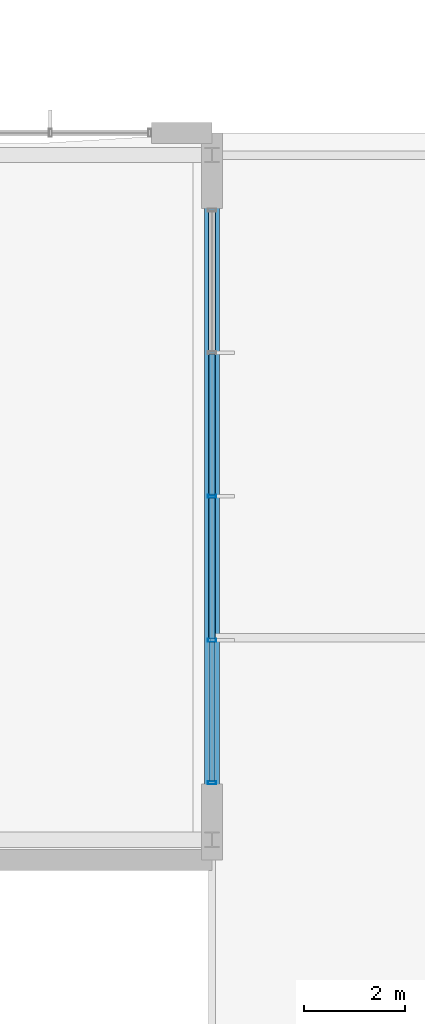
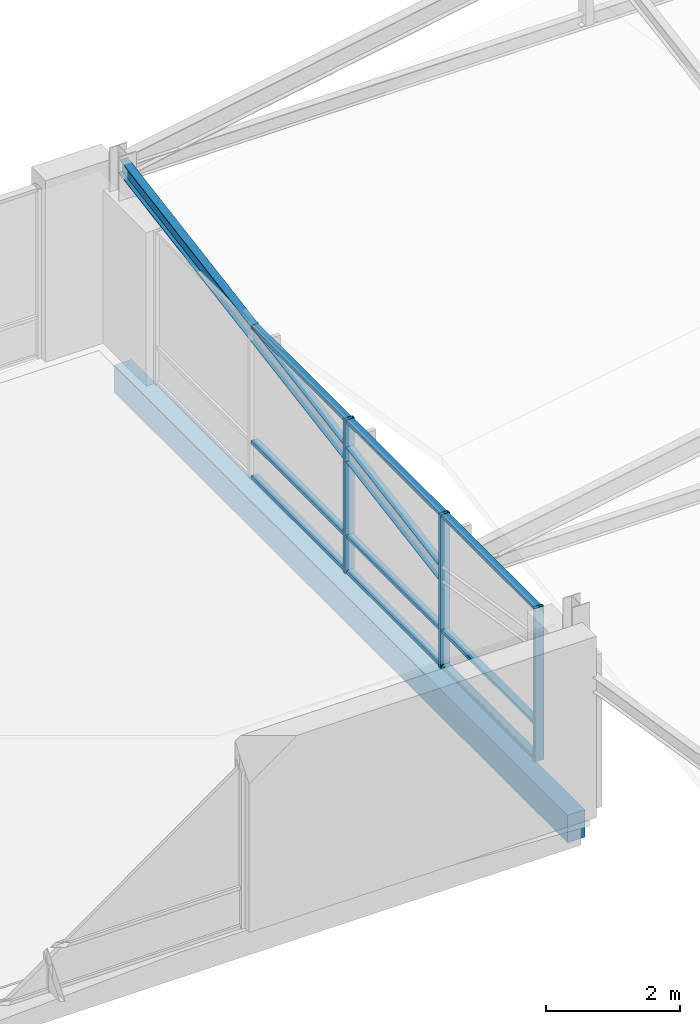
# One storey, part 93 of 189: 13 members, 1 beam, 1 element without a shape of its own.
"""IFC4 building model written with IfcOpenShell, lengths in metres."""

from ifc_helpers import new_model, si_unit, direction, frame, origin, origin_2d, place, context, subcontext, project, spatial, rectangle, hollow_rectangle, i_section, extrude, material, material_profile, profile_set, type_object, element, aggregate, save


model = new_model("IFC4")

# Units and contexts
model_context = context("Model", 3, precision=1e-05, world=origin(), true_north=direction((0.0, 1.0)))
body_context = subcontext(model_context, "Body", "Model", "MODEL_VIEW")
ifc_project = project(units=[si_unit("LENGTHUNIT", "METRE"), si_unit("AREAUNIT", "SQUARE_METRE"), si_unit("VOLUMEUNIT", "CUBIC_METRE"), si_unit("PLANEANGLEUNIT", "RADIAN"), si_unit("MASSUNIT", "GRAM", prefix="KILO")], contexts=[model_context])

# Site, building, storey
site_placement = place(None, origin())
site = spatial("IfcSite", under=ifc_project, at=site_placement, CompositionType="ELEMENT")
building_placement = place(site_placement, origin())
building = spatial("IfcBuilding", under=site, at=building_placement, Name="Zavelmont Quarter", CompositionType="ELEMENT")
storey_placement = place(building_placement, frame((0.0, 0.0, 4.39990234375)))
storey = spatial("IfcBuildingStorey", under=building, at=storey_placement, Name="L01", CompositionType="ELEMENT", Elevation=4.39990234375)

# Beam
ifc_material_1 = material(Name="Concrete C35/45", Category="concrete")
ifc_material_profile_1 = material_profile(ifc_material_1, rectangle(XDim=0.300048828125, YDim=0.5, at=origin_2d()), Name="RC300X500")
ifc_profile_set_1 = profile_set([ifc_material_profile_1], Name="Concrete C35/45")
beam_type = type_object("IfcBeamType", Name="BM03", PredefinedType="BEAM", material=ifc_profile_set_1)
beam_placement = place(storey_placement, frame((76.0, 102.0, -0.52978515625), z_axis=(0.0, 1.0, 0.0), x_axis=(-1.0, 0.0, 0.0)))
element("IfcBeam", 1, at=beam_placement, inside=storey, type_object=beam_type, Name="L01 beam BM03 12/Q to 12/S", PredefinedType="BEAM", context=body_context, shape_type="SweptSolid", body=[
    extrude(rectangle(XDim=0.300048828125, YDim=0.5, at=origin_2d()), origin(), (0.0, 0.0, 1.0), 13.56005859375),
])

# Curtain wall, members
ifc_material_2 = material(Name="Thermally broken aluminium and double low-E safety glazing", Category="aluminium")
curtain_wall_type = type_object("IfcCurtainWallType", Name="CW-1140X280", PredefinedType="NOTDEFINED", material=ifc_material_2)
curtain_wall_placement = place(storey_placement, origin())
curtain_wall = element("IfcCurtainWall", 2, at=curtain_wall_placement, inside=storey, type_object=curtain_wall_type, Name="L01 unitised curtain wall CW-1140X280", PredefinedType="NOTDEFINED")
ifc_material_3 = material(Name="Powder-coated aluminium EN AW-6063-T6", Category="aluminium")
ifc_material_profile_2 = material_profile(ifc_material_3, hollow_rectangle(XDim=0.06005859375, YDim=0.159912109375, WallThickness=0.00390625, at=origin_2d()), Name="CWM60X160")
ifc_profile_set_2 = profile_set([ifc_material_profile_2], Name="Powder-coated aluminium EN AW-6063-T6")
member_type_1 = type_object("IfcMemberType", Name="CWM01", PredefinedType="MULLION", material=ifc_profile_set_2)
member_1_placement = place(storey_placement, frame((76.0, 103.1298828125, 0.0), z_axis=(0.0, 0.0, 1.0), x_axis=(0.0, 1.0, 0.0)))
member_1 = element("IfcMember", 3, at=member_1_placement, type_object=member_type_1, Name="CW-1140X280 mullion 1", PredefinedType="MULLION", context=body_context, shape_type="SweptSolid", body=[
    extrude(hollow_rectangle(XDim=0.06005859375, YDim=0.159912109375, WallThickness=0.00390625, at=origin_2d()), origin(), (0.0, 0.0, 1.0), 2.800048828125),
])
member_2_placement = place(storey_placement, frame((76.0, 105.949951171875, 0.0), z_axis=(0.0, 0.0, 1.0), x_axis=(0.0, 1.0, 0.0)))
member_2 = element("IfcMember", 4, at=member_2_placement, type_object=member_type_1, Name="CW-1140X280 mullion 2", PredefinedType="MULLION", context=body_context, shape_type="SweptSolid", body=[
    extrude(hollow_rectangle(XDim=0.06005859375, YDim=0.159912109375, WallThickness=0.00390625, at=origin_2d()), origin(), (0.0, 0.0, 1.0), 2.800048828125),
])
member_3_placement = place(storey_placement, frame((76.0, 108.800048828125, 0.0), z_axis=(0.0, 0.0, 1.0), x_axis=(0.0, 1.0, 0.0)))
member_3 = element("IfcMember", 5, at=member_3_placement, type_object=member_type_1, Name="CW-1140X280 mullion 3", PredefinedType="MULLION", context=body_context, shape_type="SweptSolid", body=[
    extrude(hollow_rectangle(XDim=0.06005859375, YDim=0.159912109375, WallThickness=0.00390625, at=origin_2d()), origin(), (0.0, 0.0, 1.0), 2.800048828125),
])
ifc_material_profile_3 = material_profile(ifc_material_3, hollow_rectangle(XDim=0.1201171875, YDim=0.06005859375, WallThickness=0.00390625, at=origin_2d()), Name="CWT60X120")
ifc_profile_set_3 = profile_set([ifc_material_profile_3], Name="Powder-coated aluminium EN AW-6063-T6")
member_type_2 = type_object("IfcMemberType", Name="CWT01", PredefinedType="NOTDEFINED", material=ifc_profile_set_3)
member_4_placement = place(storey_placement, frame((76.0, 103.159912109375, 0.030029296875), z_axis=(0.0, 1.0, 0.0), x_axis=(-1.0, 0.0, 0.0)))
member_4 = element("IfcMember", 6, at=member_4_placement, type_object=member_type_2, Name="CW-1140X280 transom 1.1", ObjectType="TRANSOM", PredefinedType="USERDEFINED", context=body_context, shape_type="SweptSolid", body=[
    extrude(hollow_rectangle(XDim=0.1201171875, YDim=0.06005859375, WallThickness=0.00390625, at=origin_2d()), origin(), (0.0, 0.0, 1.0), 2.760009765625),
])
member_5_placement = place(storey_placement, frame((76.0, 103.159912109375, 0.672119140625), z_axis=(0.0, 1.0, 0.0), x_axis=(-1.0, 0.0, 0.0)))
member_5 = element("IfcMember", 7, at=member_5_placement, type_object=member_type_2, Name="CW-1140X280 transom 1.2", ObjectType="TRANSOM", PredefinedType="USERDEFINED", context=body_context, shape_type="SweptSolid", body=[
    extrude(hollow_rectangle(XDim=0.1201171875, YDim=0.06005859375, WallThickness=0.00390625, at=origin_2d()), origin(), (0.0, 0.0, 1.0), 2.760009765625),
])
member_6_placement = place(storey_placement, frame((76.0, 103.159912109375, 2.77001953125), z_axis=(0.0, 1.0, 0.0), x_axis=(-1.0, 0.0, 0.0)))
member_6 = element("IfcMember", 8, at=member_6_placement, type_object=member_type_2, Name="CW-1140X280 transom 1.3", ObjectType="TRANSOM", PredefinedType="USERDEFINED", context=body_context, shape_type="SweptSolid", body=[
    extrude(hollow_rectangle(XDim=0.1201171875, YDim=0.06005859375, WallThickness=0.00390625, at=origin_2d()), origin(), (0.0, 0.0, 1.0), 2.760009765625),
])
member_7_placement = place(storey_placement, frame((76.0, 105.97998046875, 0.030029296875), z_axis=(0.0, 1.0, 0.0), x_axis=(-1.0, 0.0, 0.0)))
member_7 = element("IfcMember", 9, at=member_7_placement, type_object=member_type_2, Name="CW-1140X280 transom 2.1", ObjectType="TRANSOM", PredefinedType="USERDEFINED", context=body_context, shape_type="SweptSolid", body=[
    extrude(hollow_rectangle(XDim=0.1201171875, YDim=0.06005859375, WallThickness=0.00390625, at=origin_2d()), origin(), (0.0, 0.0, 1.0), 2.7900390625),
])
member_8_placement = place(storey_placement, frame((76.0, 105.97998046875, 0.672119140625), z_axis=(0.0, 1.0, 0.0), x_axis=(-1.0, 0.0, 0.0)))
member_8 = element("IfcMember", 10, at=member_8_placement, type_object=member_type_2, Name="CW-1140X280 transom 2.2", ObjectType="TRANSOM", PredefinedType="USERDEFINED", context=body_context, shape_type="SweptSolid", body=[
    extrude(hollow_rectangle(XDim=0.1201171875, YDim=0.06005859375, WallThickness=0.00390625, at=origin_2d()), origin(), (0.0, 0.0, 1.0), 2.7900390625),
])
member_9_placement = place(storey_placement, frame((76.0, 105.97998046875, 2.77001953125), z_axis=(0.0, 1.0, 0.0), x_axis=(-1.0, 0.0, 0.0)))
member_9 = element("IfcMember", 11, at=member_9_placement, type_object=member_type_2, Name="CW-1140X280 transom 2.3", ObjectType="TRANSOM", PredefinedType="USERDEFINED", context=body_context, shape_type="SweptSolid", body=[
    extrude(hollow_rectangle(XDim=0.1201171875, YDim=0.06005859375, WallThickness=0.00390625, at=origin_2d()), origin(), (0.0, 0.0, 1.0), 2.7900390625),
])
member_10_placement = place(storey_placement, frame((76.0, 108.830078125, 0.030029296875), z_axis=(0.0, 1.0, 0.0), x_axis=(-1.0, 0.0, 0.0)))
member_10 = element("IfcMember", 12, at=member_10_placement, type_object=member_type_2, Name="CW-1140X280 transom 3.1", ObjectType="TRANSOM", PredefinedType="USERDEFINED", context=body_context, shape_type="SweptSolid", body=[
    extrude(hollow_rectangle(XDim=0.1201171875, YDim=0.06005859375, WallThickness=0.00390625, at=origin_2d()), origin(), (0.0, 0.0, 1.0), 2.7900390625),
])
member_11_placement = place(storey_placement, frame((76.0, 108.830078125, 0.672119140625), z_axis=(0.0, 1.0, 0.0), x_axis=(-1.0, 0.0, 0.0)))
member_11 = element("IfcMember", 13, at=member_11_placement, type_object=member_type_2, Name="CW-1140X280 transom 3.2", ObjectType="TRANSOM", PredefinedType="USERDEFINED", context=body_context, shape_type="SweptSolid", body=[
    extrude(hollow_rectangle(XDim=0.1201171875, YDim=0.06005859375, WallThickness=0.00390625, at=origin_2d()), origin(), (0.0, 0.0, 1.0), 2.7900390625),
])
member_12_placement = place(storey_placement, frame((76.0, 108.830078125, 2.77001953125), z_axis=(0.0, 1.0, 0.0), x_axis=(-1.0, 0.0, 0.0)))
member_12 = element("IfcMember", 14, at=member_12_placement, type_object=member_type_2, Name="CW-1140X280 transom 3.3", ObjectType="TRANSOM", PredefinedType="USERDEFINED", context=body_context, shape_type="SweptSolid", body=[
    extrude(hollow_rectangle(XDim=0.1201171875, YDim=0.06005859375, WallThickness=0.00390625, at=origin_2d()), origin(), (0.0, 0.0, 1.0), 2.7900390625),
])
aggregate(curtain_wall, [member_1, member_2, member_3, member_4, member_5, member_6, member_7, member_8, member_9, member_10, member_11, member_12])

# Member
ifc_material_4 = material(Name="Steel S355", Category="steel")
ifc_material_profile_4 = material_profile(ifc_material_4, i_section(OverallWidth=0.135009765625, OverallDepth=0.27001953125, WebThickness=0.006591796875, FlangeThickness=0.01025390625, at=origin_2d()), Name="IPE 270")
ifc_profile_set_4 = profile_set([ifc_material_profile_4], Name="Steel S355")
member_type_3 = type_object("IfcMemberType", Name="PR01", PredefinedType="PURLIN", material=ifc_profile_set_4)
member_13_placement = place(storey_placement, frame((76.0, 106.0, 1.7001953125), z_axis=(0.0, 0.985946642344, 0.167060523315), x_axis=(-1.0, 0.0, 0.0)))
element("IfcMember", 15, at=member_13_placement, inside=storey, type_object=member_type_3, Name="L01 member PR01 12/Q to 12/S", PredefinedType="PURLIN", context=body_context, shape_type="SweptSolid", body=[
    extrude(i_section(OverallWidth=0.135009765625, OverallDepth=0.27001953125, WebThickness=0.006591796875, FlangeThickness=0.01025390625, at=origin_2d()), origin(), (0.0, 0.0, 1.0), 9.6962890625),
])

save(model, "model.ifc")
